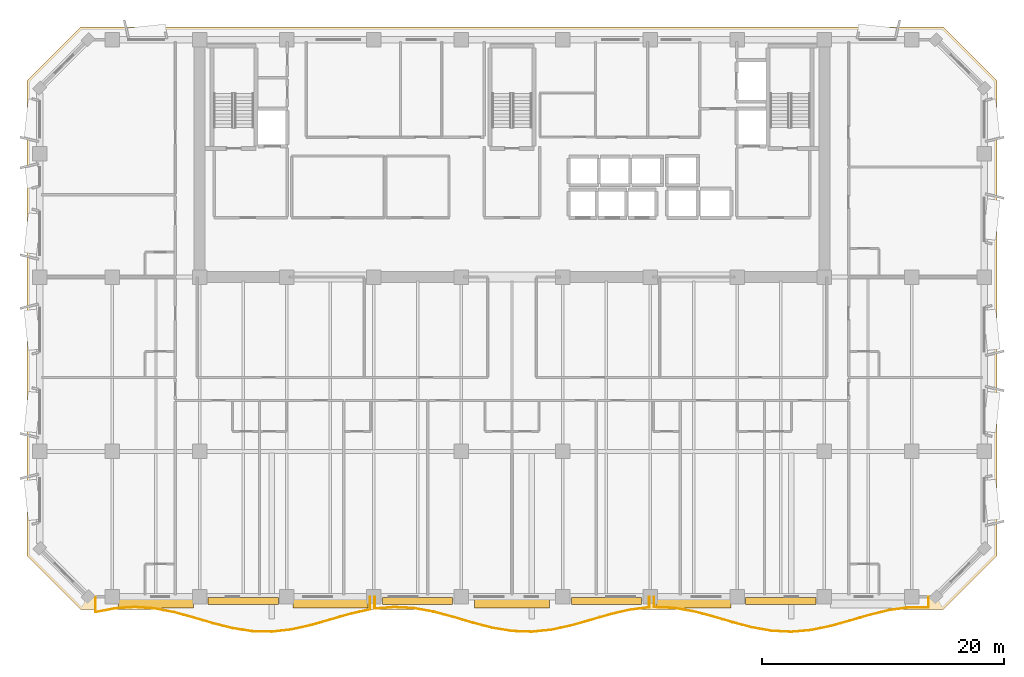
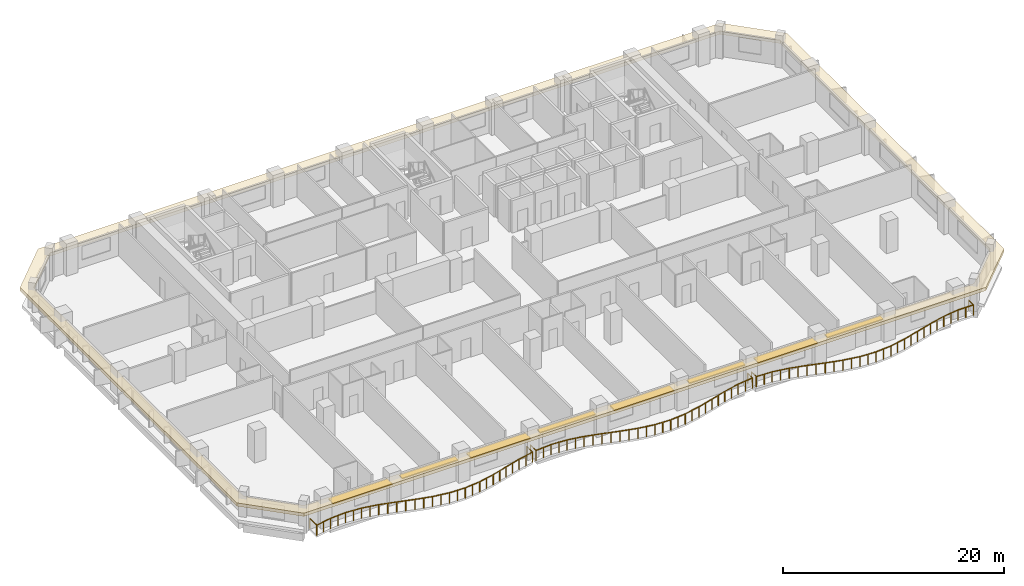
# One storey, part 10 of 14: 8 shading devices, 3 railings, 1 covering.
"""IFC4 building model written with IfcOpenShell, lengths in metres."""

from ifc_helpers import new_model, si_unit, direction, frame, origin, origin_2d, place, context, subcontext, project, spatial, polyline, rectangle, outline, extrude, material, layer, layer_set, type_object, element, save


model = new_model("IFC4")

# Units and contexts
model_context = context("Model", 3, precision=1e-05, world=origin(), true_north=direction((0.0, 1.0)))
body_context = subcontext(model_context, "Body", "Model", "MODEL_VIEW")
ifc_project = project(units=[si_unit("LENGTHUNIT", "METRE"), si_unit("AREAUNIT", "SQUARE_METRE"), si_unit("VOLUMEUNIT", "CUBIC_METRE"), si_unit("PLANEANGLEUNIT", "RADIAN"), si_unit("MASSUNIT", "GRAM", prefix="KILO")], contexts=[model_context])

# Site, building, storey
site_placement = place(None, origin())
site = spatial("IfcSite", under=ifc_project, at=site_placement, CompositionType="ELEMENT")
building_placement = place(site_placement, origin())
building = spatial("IfcBuilding", under=site, at=building_placement, Name="Kaelvorn Grand Hotel", CompositionType="ELEMENT")
storey_placement = place(building_placement, frame((0.0, 0.0, 161.949951171875)))
storey = spatial("IfcBuildingStorey", under=building, at=storey_placement, Name="L39", CompositionType="ELEMENT", Elevation=161.949951171875)

# Covering
ifc_material_1 = material(Name="Precast concrete C45/55", Category="concrete")
ifc_layer_1 = layer(ifc_material_1, 0.260009765625)
ifc_layer_set_1 = layer_set([ifc_layer_1], Name="Precast concrete C45/55")
covering_type = type_object("IfcCoveringType", Name="COV-BAND-STREAMLINE-HEAD", PredefinedType="CLADDING", material=ifc_layer_set_1)
covering_placement = place(storey_placement, frame((0.0, 0.0, 2.380126953125)))
element("IfcCovering", 1, at=covering_placement, inside=storey, type_object=covering_type, Name="L39 Streamline Moderne Wraparound Horizontal Eyebrow Band", PredefinedType="CLADDING", context=body_context, shape_type="SweptSolid", body=[
    extrude(outline(polyline([(6.389892578125, 1.949951171875), (77.610107421875, 1.949951171875), (82.050048828125, 6.389892578125), (82.050048828125, 45.610107421875), (77.610107421875, 50.050048828125), (6.389892578125, 50.050048828125), (1.949951171875, 45.610107421875), (1.949951171875, 6.389892578125), (6.389892578125, 1.949951171875)]), holes=[polyline([(7.02001953125, 3.030029296875), (76.97998046875, 3.030029296875), (80.969970703125, 7.02001953125), (80.969970703125, 44.97998046875), (76.97998046875, 48.969970703125), (7.02001953125, 48.969970703125), (3.030029296875, 44.97998046875), (3.030029296875, 7.02001953125), (7.02001953125, 3.030029296875)])]), origin(), (0.0, 0.0, 1.0), 0.35986328125),
])

# Railings
ifc_material_2 = material(Name="Stainless Steel", Category="steel")
railing_type = type_object("IfcRailingType", Name="RL-BALC-1150", PredefinedType="BALUSTRADE", material=ifc_material_2)
railing_1_placement = place(storey_placement, frame((7.60009765625, 3.0, 0.0)))
element("IfcRailing", 2, at=railing_1_placement, inside=storey, type_object=railing_type, Name="L39 Scalloped Wave Balcony Balustrade GR1-1", PredefinedType="BALUSTRADE", context=body_context, shape_type="SweptSolid", body=[
    extrude(rectangle(XDim=0.048095703125, YDim=0.048095703125, at=origin_2d()), frame((0.0, 0.0, 1.1259765625), z_axis=(0.0, -1.0, 0.0), x_axis=(1.0, 0.0, 0.0)), (0.0, 0.0, 1.0), 1.2724609375),
    extrude(rectangle(XDim=0.048095703125, YDim=0.048095703125, at=origin_2d()), frame((0.0, -1.2724609375, 1.1259765625), z_axis=(0.982094021858, 0.18839143354, 0.0), x_axis=(-0.18839143354, 0.982094021858, 0.0)), (0.0, 0.0, 1.0), 1.6484375),
    extrude(rectangle(XDim=0.048095703125, YDim=0.048095703125, at=origin_2d()), frame((1.618896484375, -0.9619140625, 1.1259765625), z_axis=(0.997623915422, 0.068895017078, 0.0), x_axis=(-0.068895017078, 0.997623915422, 0.0)), (0.0, 0.0, 1.0), 1.623046875),
    extrude(rectangle(XDim=0.048095703125, YDim=0.048095703125, at=origin_2d()), frame((3.238037109375, -0.85009765625, 1.1259765625), z_axis=(0.99764384086, -0.068605880174, 0.0), x_axis=(0.068605880174, 0.99764384086, 0.0)), (0.0, 0.0, 1.0), 1.622802734375),
    extrude(rectangle(XDim=0.048095703125, YDim=0.048095703125, at=origin_2d()), frame((4.85693359375, -0.96142578125, 1.1259765625), z_axis=(0.982154027822, -0.188078349719, 0.0), x_axis=(0.188078349719, 0.982154027822, 0.0)), (0.0, 0.0, 1.0), 1.648681640625),
    extrude(rectangle(XDim=0.048095703125, YDim=0.048095703125, at=origin_2d()), frame((6.47607421875, -1.271484375, 1.1259765625), z_axis=(0.964753749565, -0.263154332473, 0.0), x_axis=(0.263154332473, 0.964753749565, 0.0)), (0.0, 0.0, 1.0), 1.67822265625),
    extrude(rectangle(XDim=0.048095703125, YDim=0.048095703125, at=origin_2d()), frame((8.09521484375, -1.713134765625, 1.1259765625), z_axis=(0.95922025705, -0.282659686665, 0.0), x_axis=(0.282659686665, 0.95922025705, 0.0)), (0.0, 0.0, 1.0), 1.687744140625),
    extrude(rectangle(XDim=0.048095703125, YDim=0.048095703125, at=origin_2d()), frame((9.714111328125, -2.190185546875, 1.1259765625), z_axis=(0.969658957211, -0.244461667138, 0.0), x_axis=(0.244461667138, 0.969658957211, 0.0)), (0.0, 0.0, 1.0), 1.669921875),
    extrude(rectangle(XDim=0.048095703125, YDim=0.048095703125, at=origin_2d()), frame((11.333251953125, -2.598388671875, 1.1259765625), z_axis=(0.988221348221, -0.153031261252, 0.0), x_axis=(0.153031261252, 0.988221348221, 0.0)), (0.0, 0.0, 1.0), 1.638427734375),
    extrude(rectangle(XDim=0.048095703125, YDim=0.048095703125, at=origin_2d()), frame((12.952392578125, -2.84912109375, 1.1259765625), z_axis=(0.99971624649, -0.023820715872, 0.0), x_axis=(0.023820715872, 0.99971624649, 0.0)), (0.0, 0.0, 1.0), 1.619384765625),
    extrude(rectangle(XDim=0.048095703125, YDim=0.048095703125, at=origin_2d()), frame((14.5712890625, -2.8876953125, 1.1259765625), z_axis=(0.993749613979, 0.111632005792, 0.0), x_axis=(-0.111632005792, 0.993749613979, 0.0)), (0.0, 0.0, 1.0), 1.62939453125),
    extrude(rectangle(XDim=0.048095703125, YDim=0.048095703125, at=origin_2d()), frame((16.1904296875, -2.705810546875, 1.1259765625), z_axis=(0.975797698507, 0.218675219421, 0.0), x_axis=(-0.218675219421, 0.975797698507, 0.0)), (0.0, 0.0, 1.0), 1.658935546875),
    extrude(rectangle(XDim=0.048095703125, YDim=0.048095703125, at=origin_2d()), frame((17.809326171875, -2.343017578125, 1.1259765625), z_axis=(0.961211580708, 0.275812068469, 0.0), x_axis=(-0.275812068469, 0.961211580708, 0.0)), (0.0, 0.0, 1.0), 1.6845703125),
    extrude(rectangle(XDim=0.048095703125, YDim=0.048095703125, at=origin_2d()), frame((19.428466796875, -1.87841796875, 1.1259765625), z_axis=(0.961057758635, 0.27634757927, 0.0), x_axis=(-0.27634757927, 0.961057758635, 0.0)), (0.0, 0.0, 1.0), 1.684814453125),
    extrude(rectangle(XDim=0.048095703125, YDim=0.048095703125, at=origin_2d()), frame((21.047607421875, -1.412841796875, 1.1259765625), z_axis=(0.97554591374, 0.219795746513, 0.0), x_axis=(-0.219795746513, 0.97554591374, 0.0)), (0.0, 0.0, 1.0), 1.659423828125),
    extrude(rectangle(XDim=0.048095703125, YDim=0.048095703125, at=origin_2d()), frame((22.66650390625, -1.048095703125, 1.1259765625), z_axis=(0.0, 1.0, 0.0), x_axis=(-1.0, 0.0, 0.0)), (0.0, 0.0, 1.0), 1.048095703125),
    extrude(rectangle(XDim=0.0419921875, YDim=0.0419921875, at=origin_2d()), origin(), (0.0, 0.0, 1.0), 1.101806640625),
    extrude(rectangle(XDim=0.0419921875, YDim=0.0419921875, at=origin_2d()), frame((0.0, -1.2724609375, 0.0)), (0.0, 0.0, 1.0), 1.101806640625),
    extrude(rectangle(XDim=0.0419921875, YDim=0.0419921875, at=origin_2d()), frame((0.8095703125, -1.1171875, 0.0)), (0.0, 0.0, 1.0), 1.101806640625),
    extrude(rectangle(XDim=0.0419921875, YDim=0.0419921875, at=origin_2d()), frame((1.618896484375, -0.9619140625, 0.0)), (0.0, 0.0, 1.0), 1.101806640625),
    extrude(rectangle(XDim=0.0419921875, YDim=0.0419921875, at=origin_2d()), frame((2.428466796875, -0.906005859375, 0.0)), (0.0, 0.0, 1.0), 1.101806640625),
    extrude(rectangle(XDim=0.0419921875, YDim=0.0419921875, at=origin_2d()), frame((3.238037109375, -0.85009765625, 0.0)), (0.0, 0.0, 1.0), 1.101806640625),
    extrude(rectangle(XDim=0.0419921875, YDim=0.0419921875, at=origin_2d()), frame((4.04736328125, -0.90576171875, 0.0)), (0.0, 0.0, 1.0), 1.101806640625),
    extrude(rectangle(XDim=0.0419921875, YDim=0.0419921875, at=origin_2d()), frame((4.85693359375, -0.96142578125, 0.0)), (0.0, 0.0, 1.0), 1.101806640625),
    extrude(rectangle(XDim=0.0419921875, YDim=0.0419921875, at=origin_2d()), frame((5.66650390625, -1.116455078125, 0.0)), (0.0, 0.0, 1.0), 1.101806640625),
    extrude(rectangle(XDim=0.0419921875, YDim=0.0419921875, at=origin_2d()), frame((6.47607421875, -1.271484375, 0.0)), (0.0, 0.0, 1.0), 1.101806640625),
    extrude(rectangle(XDim=0.0419921875, YDim=0.0419921875, at=origin_2d()), frame((7.28564453125, -1.4921875, 0.0)), (0.0, 0.0, 1.0), 1.101806640625),
    extrude(rectangle(XDim=0.0419921875, YDim=0.0419921875, at=origin_2d()), frame((8.09521484375, -1.713134765625, 0.0)), (0.0, 0.0, 1.0), 1.101806640625),
    extrude(rectangle(XDim=0.0419921875, YDim=0.0419921875, at=origin_2d()), frame((8.90478515625, -1.95166015625, 0.0)), (0.0, 0.0, 1.0), 1.101806640625),
    extrude(rectangle(XDim=0.0419921875, YDim=0.0419921875, at=origin_2d()), frame((9.714111328125, -2.190185546875, 0.0)), (0.0, 0.0, 1.0), 1.101806640625),
    extrude(rectangle(XDim=0.0419921875, YDim=0.0419921875, at=origin_2d()), frame((10.523681640625, -2.394287109375, 0.0)), (0.0, 0.0, 1.0), 1.101806640625),
    extrude(rectangle(XDim=0.0419921875, YDim=0.0419921875, at=origin_2d()), frame((11.333251953125, -2.598388671875, 0.0)), (0.0, 0.0, 1.0), 1.101806640625),
    extrude(rectangle(XDim=0.0419921875, YDim=0.0419921875, at=origin_2d()), frame((12.142822265625, -2.7236328125, 0.0)), (0.0, 0.0, 1.0), 1.101806640625),
    extrude(rectangle(XDim=0.0419921875, YDim=0.0419921875, at=origin_2d()), frame((12.952392578125, -2.84912109375, 0.0)), (0.0, 0.0, 1.0), 1.101806640625),
    extrude(rectangle(XDim=0.0419921875, YDim=0.0419921875, at=origin_2d()), frame((13.76171875, -2.868408203125, 0.0)), (0.0, 0.0, 1.0), 1.101806640625),
    extrude(rectangle(XDim=0.0419921875, YDim=0.0419921875, at=origin_2d()), frame((14.5712890625, -2.8876953125, 0.0)), (0.0, 0.0, 1.0), 1.101806640625),
    extrude(rectangle(XDim=0.0419921875, YDim=0.0419921875, at=origin_2d()), frame((15.380859375, -2.796875, 0.0)), (0.0, 0.0, 1.0), 1.101806640625),
    extrude(rectangle(XDim=0.0419921875, YDim=0.0419921875, at=origin_2d()), frame((16.1904296875, -2.705810546875, 0.0)), (0.0, 0.0, 1.0), 1.101806640625),
    extrude(rectangle(XDim=0.0419921875, YDim=0.0419921875, at=origin_2d()), frame((17.0, -2.5244140625, 0.0)), (0.0, 0.0, 1.0), 1.101806640625),
    extrude(rectangle(XDim=0.0419921875, YDim=0.0419921875, at=origin_2d()), frame((17.809326171875, -2.343017578125, 0.0)), (0.0, 0.0, 1.0), 1.101806640625),
    extrude(rectangle(XDim=0.0419921875, YDim=0.0419921875, at=origin_2d()), frame((18.618896484375, -2.11083984375, 0.0)), (0.0, 0.0, 1.0), 1.101806640625),
    extrude(rectangle(XDim=0.0419921875, YDim=0.0419921875, at=origin_2d()), frame((19.428466796875, -1.87841796875, 0.0)), (0.0, 0.0, 1.0), 1.101806640625),
    extrude(rectangle(XDim=0.0419921875, YDim=0.0419921875, at=origin_2d()), frame((20.238037109375, -1.6455078125, 0.0)), (0.0, 0.0, 1.0), 1.101806640625),
    extrude(rectangle(XDim=0.0419921875, YDim=0.0419921875, at=origin_2d()), frame((21.047607421875, -1.412841796875, 0.0)), (0.0, 0.0, 1.0), 1.101806640625),
    extrude(rectangle(XDim=0.0419921875, YDim=0.0419921875, at=origin_2d()), frame((21.85693359375, -1.23046875, 0.0)), (0.0, 0.0, 1.0), 1.101806640625),
    extrude(rectangle(XDim=0.0419921875, YDim=0.0419921875, at=origin_2d()), frame((22.66650390625, -1.048095703125, 0.0)), (0.0, 0.0, 1.0), 1.101806640625),
    extrude(rectangle(XDim=0.0419921875, YDim=0.0419921875, at=origin_2d()), frame((22.66650390625, 0.0, 0.0)), (0.0, 0.0, 1.0), 1.101806640625),
])
railing_2_placement = place(storey_placement, frame((30.666748046875, 3.0, 0.0)))
element("IfcRailing", 3, at=railing_2_placement, inside=storey, type_object=railing_type, Name="L39 Scalloped Wave Balcony Balustrade GR1-2", PredefinedType="BALUSTRADE", context=body_context, shape_type="SweptSolid", body=[
    extrude(rectangle(XDim=0.048095703125, YDim=0.048095703125, at=origin_2d()), frame((0.0, 0.0, 1.1259765625), z_axis=(0.0, -1.0, 0.0), x_axis=(1.0, 0.0, 0.0)), (0.0, 0.0, 1.0), 0.9833984375),
    extrude(rectangle(XDim=0.048095703125, YDim=0.048095703125, at=origin_2d()), frame((0.0, -0.9833984375, 1.1259765625), z_axis=(0.99667615303, 0.081465612267, 0.0), x_axis=(-0.081465612267, 0.99667615303, 0.0)), (0.0, 0.0, 1.0), 1.624267578125),
    extrude(rectangle(XDim=0.048095703125, YDim=0.048095703125, at=origin_2d()), frame((1.618896484375, -0.85107421875, 1.1259765625), z_axis=(0.998438971105, -0.055853567292, 0.0), x_axis=(0.055853567292, 0.998438971105, 0.0)), (0.0, 0.0, 1.0), 1.62158203125),
    extrude(rectangle(XDim=0.048095703125, YDim=0.048095703125, at=origin_2d()), frame((3.238037109375, -0.941650390625, 1.1259765625), z_axis=(0.983917350354, -0.178624319938, 0.0), x_axis=(0.178624319938, 0.983917350354, 0.0)), (0.0, 0.0, 1.0), 1.6455078125),
    extrude(rectangle(XDim=0.048095703125, YDim=0.048095703125, at=origin_2d()), frame((4.857177734375, -1.235595703125, 1.1259765625), z_axis=(0.966063041937, -0.258306405271, 0.0), x_axis=(0.258306405271, 0.966063041937, 0.0)), (0.0, 0.0, 1.0), 1.67578125),
    extrude(rectangle(XDim=0.048095703125, YDim=0.048095703125, at=origin_2d()), frame((6.47607421875, -1.66845703125, 1.1259765625), z_axis=(0.959074846834, -0.283152676433, 0.0), x_axis=(0.283152676433, 0.959074846834, 0.0)), (0.0, 0.0, 1.0), 1.688232421875),
    extrude(rectangle(XDim=0.048095703125, YDim=0.048095703125, at=origin_2d()), frame((8.09521484375, -2.146484375, 1.1259765625), z_axis=(0.968108458434, -0.250531460515, 0.0), x_axis=(0.250531460515, 0.968108458434, 0.0)), (0.0, 0.0, 1.0), 1.672119140625),
    extrude(rectangle(XDim=0.048095703125, YDim=0.048095703125, at=origin_2d()), frame((9.714111328125, -2.5654296875, 1.1259765625), z_axis=(0.986522272056, -0.163627035474, 0.0), x_axis=(0.163627035474, 0.986522272056, 0.0)), (0.0, 0.0, 1.0), 1.641357421875),
    extrude(rectangle(XDim=0.048095703125, YDim=0.048095703125, at=origin_2d()), frame((11.333251953125, -2.833984375, 1.1259765625), z_axis=(0.999318338292, -0.0369169169, 0.0), x_axis=(0.0369169169, 0.999318338292, 0.0)), (0.0, 0.0, 1.0), 1.620361328125),
    extrude(rectangle(XDim=0.048095703125, YDim=0.048095703125, at=origin_2d()), frame((12.952392578125, -2.893798828125, 1.1259765625), z_axis=(0.995023809866, 0.099637431722, 0.0), x_axis=(-0.099637431722, 0.995023809866, 0.0)), (0.0, 0.0, 1.0), 1.626953125),
    extrude(rectangle(XDim=0.048095703125, YDim=0.048095703125, at=origin_2d()), frame((14.5712890625, -2.731689453125, 1.1259765625), z_axis=(0.977594849421, 0.210495392789, 0.0), x_axis=(-0.210495392789, 0.977594849421, 0.0)), (0.0, 0.0, 1.0), 1.65625),
    extrude(rectangle(XDim=0.048095703125, YDim=0.048095703125, at=origin_2d()), frame((16.1904296875, -2.383056640625, 1.1259765625), z_axis=(0.962042331679, 0.272900260276, 0.0), x_axis=(-0.272900260276, 0.962042331679, 0.0)), (0.0, 0.0, 1.0), 1.682861328125),
    extrude(rectangle(XDim=0.048095703125, YDim=0.048095703125, at=origin_2d()), frame((17.809326171875, -1.923828125, 1.1259765625), z_axis=(0.960362484681, 0.278754189236, 0.0), x_axis=(-0.278754189236, 0.960362484681, 0.0)), (0.0, 0.0, 1.0), 1.68603515625),
    extrude(rectangle(XDim=0.048095703125, YDim=0.048095703125, at=origin_2d()), frame((19.428466796875, -1.453857421875, 1.1259765625), z_axis=(0.973791365493, 0.227443128038, 0.0), x_axis=(-0.227443128038, 0.973791365493, 0.0)), (0.0, 0.0, 1.0), 1.66259765625),
    extrude(rectangle(XDim=0.048095703125, YDim=0.048095703125, at=origin_2d()), frame((21.047607421875, -1.07568359375, 1.1259765625), z_axis=(0.992146114202, 0.125084323854, 0.0), x_axis=(-0.125084323854, 0.992146114202, 0.0)), (0.0, 0.0, 1.0), 1.631591796875),
    extrude(rectangle(XDim=0.048095703125, YDim=0.048095703125, at=origin_2d()), frame((22.66650390625, -0.87158203125, 1.1259765625), z_axis=(0.0, 1.0, 0.0), x_axis=(-1.0, 0.0, 0.0)), (0.0, 0.0, 1.0), 0.87158203125),
    extrude(rectangle(XDim=0.0419921875, YDim=0.0419921875, at=origin_2d()), origin(), (0.0, 0.0, 1.0), 1.101806640625),
    extrude(rectangle(XDim=0.0419921875, YDim=0.0419921875, at=origin_2d()), frame((0.0, -0.9833984375, 0.0)), (0.0, 0.0, 1.0), 1.101806640625),
    extrude(rectangle(XDim=0.0419921875, YDim=0.0419921875, at=origin_2d()), frame((0.8095703125, -0.917236328125, 0.0)), (0.0, 0.0, 1.0), 1.101806640625),
    extrude(rectangle(XDim=0.0419921875, YDim=0.0419921875, at=origin_2d()), frame((1.618896484375, -0.85107421875, 0.0)), (0.0, 0.0, 1.0), 1.101806640625),
    extrude(rectangle(XDim=0.0419921875, YDim=0.0419921875, at=origin_2d()), frame((2.428466796875, -0.896484375, 0.0)), (0.0, 0.0, 1.0), 1.101806640625),
    extrude(rectangle(XDim=0.0419921875, YDim=0.0419921875, at=origin_2d()), frame((3.238037109375, -0.941650390625, 0.0)), (0.0, 0.0, 1.0), 1.101806640625),
    extrude(rectangle(XDim=0.0419921875, YDim=0.0419921875, at=origin_2d()), frame((4.047607421875, -1.088623046875, 0.0)), (0.0, 0.0, 1.0), 1.101806640625),
    extrude(rectangle(XDim=0.0419921875, YDim=0.0419921875, at=origin_2d()), frame((4.857177734375, -1.235595703125, 0.0)), (0.0, 0.0, 1.0), 1.101806640625),
    extrude(rectangle(XDim=0.0419921875, YDim=0.0419921875, at=origin_2d()), frame((5.66650390625, -1.4521484375, 0.0)), (0.0, 0.0, 1.0), 1.101806640625),
    extrude(rectangle(XDim=0.0419921875, YDim=0.0419921875, at=origin_2d()), frame((6.47607421875, -1.66845703125, 0.0)), (0.0, 0.0, 1.0), 1.101806640625),
    extrude(rectangle(XDim=0.0419921875, YDim=0.0419921875, at=origin_2d()), frame((7.28564453125, -1.907470703125, 0.0)), (0.0, 0.0, 1.0), 1.101806640625),
    extrude(rectangle(XDim=0.0419921875, YDim=0.0419921875, at=origin_2d()), frame((8.09521484375, -2.146484375, 0.0)), (0.0, 0.0, 1.0), 1.101806640625),
    extrude(rectangle(XDim=0.0419921875, YDim=0.0419921875, at=origin_2d()), frame((8.90478515625, -2.35595703125, 0.0)), (0.0, 0.0, 1.0), 1.101806640625),
    extrude(rectangle(XDim=0.0419921875, YDim=0.0419921875, at=origin_2d()), frame((9.714111328125, -2.5654296875, 0.0)), (0.0, 0.0, 1.0), 1.101806640625),
    extrude(rectangle(XDim=0.0419921875, YDim=0.0419921875, at=origin_2d()), frame((10.523681640625, -2.69970703125, 0.0)), (0.0, 0.0, 1.0), 1.101806640625),
    extrude(rectangle(XDim=0.0419921875, YDim=0.0419921875, at=origin_2d()), frame((11.333251953125, -2.833984375, 0.0)), (0.0, 0.0, 1.0), 1.101806640625),
    extrude(rectangle(XDim=0.0419921875, YDim=0.0419921875, at=origin_2d()), frame((12.142822265625, -2.86376953125, 0.0)), (0.0, 0.0, 1.0), 1.101806640625),
    extrude(rectangle(XDim=0.0419921875, YDim=0.0419921875, at=origin_2d()), frame((12.952392578125, -2.893798828125, 0.0)), (0.0, 0.0, 1.0), 1.101806640625),
    extrude(rectangle(XDim=0.0419921875, YDim=0.0419921875, at=origin_2d()), frame((13.76171875, -2.812744140625, 0.0)), (0.0, 0.0, 1.0), 1.101806640625),
    extrude(rectangle(XDim=0.0419921875, YDim=0.0419921875, at=origin_2d()), frame((14.5712890625, -2.731689453125, 0.0)), (0.0, 0.0, 1.0), 1.101806640625),
    extrude(rectangle(XDim=0.0419921875, YDim=0.0419921875, at=origin_2d()), frame((15.380859375, -2.557373046875, 0.0)), (0.0, 0.0, 1.0), 1.101806640625),
    extrude(rectangle(XDim=0.0419921875, YDim=0.0419921875, at=origin_2d()), frame((16.1904296875, -2.383056640625, 0.0)), (0.0, 0.0, 1.0), 1.101806640625),
    extrude(rectangle(XDim=0.0419921875, YDim=0.0419921875, at=origin_2d()), frame((17.0, -2.1533203125, 0.0)), (0.0, 0.0, 1.0), 1.101806640625),
    extrude(rectangle(XDim=0.0419921875, YDim=0.0419921875, at=origin_2d()), frame((17.809326171875, -1.923828125, 0.0)), (0.0, 0.0, 1.0), 1.101806640625),
    extrude(rectangle(XDim=0.0419921875, YDim=0.0419921875, at=origin_2d()), frame((18.618896484375, -1.68896484375, 0.0)), (0.0, 0.0, 1.0), 1.101806640625),
    extrude(rectangle(XDim=0.0419921875, YDim=0.0419921875, at=origin_2d()), frame((19.428466796875, -1.453857421875, 0.0)), (0.0, 0.0, 1.0), 1.101806640625),
    extrude(rectangle(XDim=0.0419921875, YDim=0.0419921875, at=origin_2d()), frame((20.238037109375, -1.2646484375, 0.0)), (0.0, 0.0, 1.0), 1.101806640625),
    extrude(rectangle(XDim=0.0419921875, YDim=0.0419921875, at=origin_2d()), frame((21.047607421875, -1.07568359375, 0.0)), (0.0, 0.0, 1.0), 1.101806640625),
    extrude(rectangle(XDim=0.0419921875, YDim=0.0419921875, at=origin_2d()), frame((21.85693359375, -0.9736328125, 0.0)), (0.0, 0.0, 1.0), 1.101806640625),
    extrude(rectangle(XDim=0.0419921875, YDim=0.0419921875, at=origin_2d()), frame((22.66650390625, -0.87158203125, 0.0)), (0.0, 0.0, 1.0), 1.101806640625),
    extrude(rectangle(XDim=0.0419921875, YDim=0.0419921875, at=origin_2d()), frame((22.66650390625, 0.0, 0.0)), (0.0, 0.0, 1.0), 1.101806640625),
])
railing_3_placement = place(storey_placement, frame((53.7333984375, 3.0, 0.0)))
element("IfcRailing", 4, at=railing_3_placement, inside=storey, type_object=railing_type, Name="L39 Scalloped Wave Balcony Balustrade GR1-3", PredefinedType="BALUSTRADE", context=body_context, shape_type="SweptSolid", body=[
    extrude(rectangle(XDim=0.048095703125, YDim=0.048095703125, at=origin_2d()), frame((0.0, 0.0, 1.1259765625), z_axis=(0.0, -1.0, 0.0), x_axis=(1.0, 0.0, 0.0)), (0.0, 0.0, 1.0), 0.85400390625),
    extrude(rectangle(XDim=0.048095703125, YDim=0.048095703125, at=origin_2d()), frame((0.0, -0.85400390625, 1.1259765625), z_axis=(0.99907116493, -0.043090688157, 0.0), x_axis=(0.043090688157, 0.99907116493, 0.0)), (0.0, 0.0, 1.0), 1.620361328125),
    extrude(rectangle(XDim=0.048095703125, YDim=0.048095703125, at=origin_2d()), frame((1.618896484375, -0.923828125, 1.1259765625), z_axis=(0.985694298007, -0.168543023815, 0.0), x_axis=(0.168543023815, 0.985694298007, 0.0)), (0.0, 0.0, 1.0), 1.642578125),
    extrude(rectangle(XDim=0.048095703125, YDim=0.048095703125, at=origin_2d()), frame((3.238037109375, -1.20068359375, 1.1259765625), z_axis=(0.967441989908, -0.25309286075, 0.0), x_axis=(0.25309286075, 0.967441989908, 0.0)), (0.0, 0.0, 1.0), 1.673583984375),
    extrude(rectangle(XDim=0.048095703125, YDim=0.048095703125, at=origin_2d()), frame((4.857177734375, -1.624267578125, 1.1259765625), z_axis=(0.959023960124, -0.283324979322, 0.0), x_axis=(0.283324979322, 0.959023960124, 0.0)), (0.0, 0.0, 1.0), 1.68798828125),
    extrude(rectangle(XDim=0.048095703125, YDim=0.048095703125, at=origin_2d()), frame((6.47607421875, -2.1025390625, 1.1259765625), z_axis=(0.966688257577, -0.255956661687, 0.0), x_axis=(0.255956661687, 0.966688257577, 0.0)), (0.0, 0.0, 1.0), 1.675048828125),
    extrude(rectangle(XDim=0.048095703125, YDim=0.048095703125, at=origin_2d()), frame((8.09521484375, -2.53125, 1.1259765625), z_axis=(0.984762620889, -0.17390394044, 0.0), x_axis=(0.17390394044, 0.984762620889, 0.0)), (0.0, 0.0, 1.0), 1.64404296875),
    extrude(rectangle(XDim=0.048095703125, YDim=0.048095703125, at=origin_2d()), frame((9.714111328125, -2.817138671875, 1.1259765625), z_axis=(0.998764327733, -0.049697259975, 0.0), x_axis=(0.049697259975, 0.998764327733, 0.0)), (0.0, 0.0, 1.0), 1.62109375),
    extrude(rectangle(XDim=0.048095703125, YDim=0.048095703125, at=origin_2d()), frame((11.333251953125, -2.897705078125, 1.1259765625), z_axis=(0.996184581648, 0.087271297035, 0.0), x_axis=(-0.087271297035, 0.996184581648, 0.0)), (0.0, 0.0, 1.0), 1.625244140625),
    extrude(rectangle(XDim=0.048095703125, YDim=0.048095703125, at=origin_2d()), frame((12.952392578125, -2.755859375, 1.1259765625), z_axis=(0.97940467144, 0.20190713103, 0.0), x_axis=(-0.20190713103, 0.97940467144, 0.0)), (0.0, 0.0, 1.0), 1.65283203125),
    extrude(rectangle(XDim=0.048095703125, YDim=0.048095703125, at=origin_2d()), frame((14.5712890625, -2.422119140625, 1.1259765625), z_axis=(0.963037881614, 0.269365993726, 0.0), x_axis=(-0.269365993726, 0.963037881614, 0.0)), (0.0, 0.0, 1.0), 1.681396484375),
    extrude(rectangle(XDim=0.048095703125, YDim=0.048095703125, at=origin_2d()), frame((16.1904296875, -1.96923828125, 1.1259765625), z_axis=(0.959818254788, 0.280622375759, 0.0), x_axis=(-0.280622375759, 0.959818254788, 0.0)), (0.0, 0.0, 1.0), 1.68701171875),
    extrude(rectangle(XDim=0.048095703125, YDim=0.048095703125, at=origin_2d()), frame((17.8095703125, -1.495849609375, 1.1259765625), z_axis=(0.972068370994, 0.234697852807, 0.0), x_axis=(-0.234697852807, 0.972068370994, 0.0)), (0.0, 0.0, 1.0), 1.66552734375),
    extrude(rectangle(XDim=0.048095703125, YDim=0.048095703125, at=origin_2d()), frame((19.428466796875, -1.10498046875, 1.1259765625), z_axis=(0.990636461105, 0.136526195032, 0.0), x_axis=(-0.136526195032, 0.990636461105, 0.0)), (0.0, 0.0, 1.0), 1.634521484375),
    extrude(rectangle(XDim=0.048095703125, YDim=0.048095703125, at=origin_2d()), frame((21.047607421875, -0.8818359375, 1.1259765625), z_axis=(0.999991084982, 0.004222553217, 0.0), x_axis=(-0.004222553217, 0.999991084982, 0.0)), (0.0, 0.0, 1.0), 1.618896484375),
    extrude(rectangle(XDim=0.048095703125, YDim=0.048095703125, at=origin_2d()), frame((22.66650390625, -0.875, 1.1259765625), z_axis=(0.0, 1.0, 0.0), x_axis=(-1.0, 0.0, 0.0)), (0.0, 0.0, 1.0), 0.875),
    extrude(rectangle(XDim=0.0419921875, YDim=0.0419921875, at=origin_2d()), origin(), (0.0, 0.0, 1.0), 1.101806640625),
    extrude(rectangle(XDim=0.0419921875, YDim=0.0419921875, at=origin_2d()), frame((0.0, -0.85400390625, 0.0)), (0.0, 0.0, 1.0), 1.101806640625),
    extrude(rectangle(XDim=0.0419921875, YDim=0.0419921875, at=origin_2d()), frame((0.8095703125, -0.888916015625, 0.0)), (0.0, 0.0, 1.0), 1.101806640625),
    extrude(rectangle(XDim=0.0419921875, YDim=0.0419921875, at=origin_2d()), frame((1.618896484375, -0.923828125, 0.0)), (0.0, 0.0, 1.0), 1.101806640625),
    extrude(rectangle(XDim=0.0419921875, YDim=0.0419921875, at=origin_2d()), frame((2.428466796875, -1.062255859375, 0.0)), (0.0, 0.0, 1.0), 1.101806640625),
    extrude(rectangle(XDim=0.0419921875, YDim=0.0419921875, at=origin_2d()), frame((3.238037109375, -1.20068359375, 0.0)), (0.0, 0.0, 1.0), 1.101806640625),
    extrude(rectangle(XDim=0.0419921875, YDim=0.0419921875, at=origin_2d()), frame((4.047607421875, -1.41259765625, 0.0)), (0.0, 0.0, 1.0), 1.101806640625),
    extrude(rectangle(XDim=0.0419921875, YDim=0.0419921875, at=origin_2d()), frame((4.857177734375, -1.624267578125, 0.0)), (0.0, 0.0, 1.0), 1.101806640625),
    extrude(rectangle(XDim=0.0419921875, YDim=0.0419921875, at=origin_2d()), frame((5.66650390625, -1.86328125, 0.0)), (0.0, 0.0, 1.0), 1.101806640625),
    extrude(rectangle(XDim=0.0419921875, YDim=0.0419921875, at=origin_2d()), frame((6.47607421875, -2.1025390625, 0.0)), (0.0, 0.0, 1.0), 1.101806640625),
    extrude(rectangle(XDim=0.0419921875, YDim=0.0419921875, at=origin_2d()), frame((7.28564453125, -2.31689453125, 0.0)), (0.0, 0.0, 1.0), 1.101806640625),
    extrude(rectangle(XDim=0.0419921875, YDim=0.0419921875, at=origin_2d()), frame((8.09521484375, -2.53125, 0.0)), (0.0, 0.0, 1.0), 1.101806640625),
    extrude(rectangle(XDim=0.0419921875, YDim=0.0419921875, at=origin_2d()), frame((8.90478515625, -2.67431640625, 0.0)), (0.0, 0.0, 1.0), 1.101806640625),
    extrude(rectangle(XDim=0.0419921875, YDim=0.0419921875, at=origin_2d()), frame((9.714111328125, -2.817138671875, 0.0)), (0.0, 0.0, 1.0), 1.101806640625),
    extrude(rectangle(XDim=0.0419921875, YDim=0.0419921875, at=origin_2d()), frame((10.523681640625, -2.857421875, 0.0)), (0.0, 0.0, 1.0), 1.101806640625),
    extrude(rectangle(XDim=0.0419921875, YDim=0.0419921875, at=origin_2d()), frame((11.333251953125, -2.897705078125, 0.0)), (0.0, 0.0, 1.0), 1.101806640625),
    extrude(rectangle(XDim=0.0419921875, YDim=0.0419921875, at=origin_2d()), frame((12.142822265625, -2.82666015625, 0.0)), (0.0, 0.0, 1.0), 1.101806640625),
    extrude(rectangle(XDim=0.0419921875, YDim=0.0419921875, at=origin_2d()), frame((12.952392578125, -2.755859375, 0.0)), (0.0, 0.0, 1.0), 1.101806640625),
    extrude(rectangle(XDim=0.0419921875, YDim=0.0419921875, at=origin_2d()), frame((13.76171875, -2.5888671875, 0.0)), (0.0, 0.0, 1.0), 1.101806640625),
    extrude(rectangle(XDim=0.0419921875, YDim=0.0419921875, at=origin_2d()), frame((14.5712890625, -2.422119140625, 0.0)), (0.0, 0.0, 1.0), 1.101806640625),
    extrude(rectangle(XDim=0.0419921875, YDim=0.0419921875, at=origin_2d()), frame((15.380859375, -2.19580078125, 0.0)), (0.0, 0.0, 1.0), 1.101806640625),
    extrude(rectangle(XDim=0.0419921875, YDim=0.0419921875, at=origin_2d()), frame((16.1904296875, -1.96923828125, 0.0)), (0.0, 0.0, 1.0), 1.101806640625),
    extrude(rectangle(XDim=0.0419921875, YDim=0.0419921875, at=origin_2d()), frame((17.0, -1.732421875, 0.0)), (0.0, 0.0, 1.0), 1.101806640625),
    extrude(rectangle(XDim=0.0419921875, YDim=0.0419921875, at=origin_2d()), frame((17.8095703125, -1.495849609375, 0.0)), (0.0, 0.0, 1.0), 1.101806640625),
    extrude(rectangle(XDim=0.0419921875, YDim=0.0419921875, at=origin_2d()), frame((18.619140625, -1.30029296875, 0.0)), (0.0, 0.0, 1.0), 1.101806640625),
    extrude(rectangle(XDim=0.0419921875, YDim=0.0419921875, at=origin_2d()), frame((19.428466796875, -1.10498046875, 0.0)), (0.0, 0.0, 1.0), 1.101806640625),
    extrude(rectangle(XDim=0.0419921875, YDim=0.0419921875, at=origin_2d()), frame((20.238037109375, -0.993408203125, 0.0)), (0.0, 0.0, 1.0), 1.101806640625),
    extrude(rectangle(XDim=0.0419921875, YDim=0.0419921875, at=origin_2d()), frame((21.047607421875, -0.8818359375, 0.0)), (0.0, 0.0, 1.0), 1.101806640625),
    extrude(rectangle(XDim=0.0419921875, YDim=0.0419921875, at=origin_2d()), frame((21.85693359375, -0.87841796875, 0.0)), (0.0, 0.0, 1.0), 1.101806640625),
    extrude(rectangle(XDim=0.0419921875, YDim=0.0419921875, at=origin_2d()), frame((22.66650390625, -0.875, 0.0)), (0.0, 0.0, 1.0), 1.101806640625),
    extrude(rectangle(XDim=0.0419921875, YDim=0.0419921875, at=origin_2d()), frame((22.66650390625, 0.0, 0.0)), (0.0, 0.0, 1.0), 1.101806640625),
])

# Shading devices
ifc_layer_2 = layer(ifc_material_1, 0.1201171875)
ifc_layer_set_2 = layer_set([ifc_layer_2], Name="Precast concrete C45/55")
shading_device_type_1 = type_object("IfcShadingDeviceType", Name="SHD-SUNSHADE-550", PredefinedType="USERDEFINED", material=ifc_layer_set_2)
for number, where, z_axis, x_axis, name in (
    (5, (19.800048828125, 2.64501953125, 2.56005859375), (0.0, 0.0, 1.0), (1.0, 0.0, 0.0), "L39 Horizontal Concrete Sunshade Band SS-03"),
    (6, (34.199951171875, 2.64501953125, 2.56005859375), (0.0, 0.0, 1.0), (1.0, 0.0, 0.0), "L39 Horizontal Concrete Sunshade Band SS-05"),
    (7, (49.800048828125, 2.64501953125, 2.56005859375), (0.0, 0.0, 1.0), (1.0, 0.0, 0.0), "L39 Horizontal Concrete Sunshade Band SS-07"),
    (8, (64.199951171875, 2.64501953125, 2.56005859375), (0.0, 0.0, 1.0), (1.0, 0.0, 0.0), "L39 Horizontal Concrete Sunshade Band SS-09"),
):
    element("IfcShadingDevice", number, at=place(storey_placement, frame(where, z_axis=z_axis, x_axis=x_axis)), inside=storey, type_object=shading_device_type_1, Name=name, ObjectType="SUNSHADE", PredefinedType="USERDEFINED", context=body_context, shape_type="SweptSolid", body=[
        extrude(rectangle(XDim=5.800048828125, YDim=0.550048828125, at=origin_2d()), origin(), (0.0, 0.0, 1.0), 0.1201171875),
    ])
ifc_layer_3 = layer(ifc_material_1, 0.139892578125)
ifc_layer_set_3 = layer_set([ifc_layer_3], Name="Precast concrete C45/55")
shading_device_type_2 = type_object("IfcShadingDeviceType", Name="SHD-SUNSHADE-850", PredefinedType="USERDEFINED", material=ifc_layer_set_3)
for number, where, z_axis, x_axis, name in (
    (9, (12.60009765625, 2.4951171875, 2.55029296875), (0.0, 0.0, 1.0), (1.0, 0.0, 0.0), "L39 Horizontal Concrete Sunshade Band SS-02"),
    (10, (27.0, 2.4951171875, 2.55029296875), (0.0, 0.0, 1.0), (1.0, 0.0, 0.0), "L39 Horizontal Concrete Sunshade Band SS-04"),
    (11, (42.0, 2.4951171875, 2.55029296875), (0.0, 0.0, 1.0), (1.0, 0.0, 0.0), "L39 Horizontal Concrete Sunshade Band SS-06"),
    (12, (57.0, 2.4951171875, 2.55029296875), (0.0, 0.0, 1.0), (1.0, 0.0, 0.0), "L39 Horizontal Concrete Sunshade Band SS-08"),
):
    element("IfcShadingDevice", number, at=place(storey_placement, frame(where, z_axis=z_axis, x_axis=x_axis)), inside=storey, type_object=shading_device_type_2, Name=name, ObjectType="SUNSHADE", PredefinedType="USERDEFINED", context=body_context, shape_type="SweptSolid", body=[
        extrude(rectangle(XDim=6.199951171875, YDim=0.85009765625, at=origin_2d()), origin(), (0.0, 0.0, 1.0), 0.139892578125),
    ])

save(model, "model.ifc")
